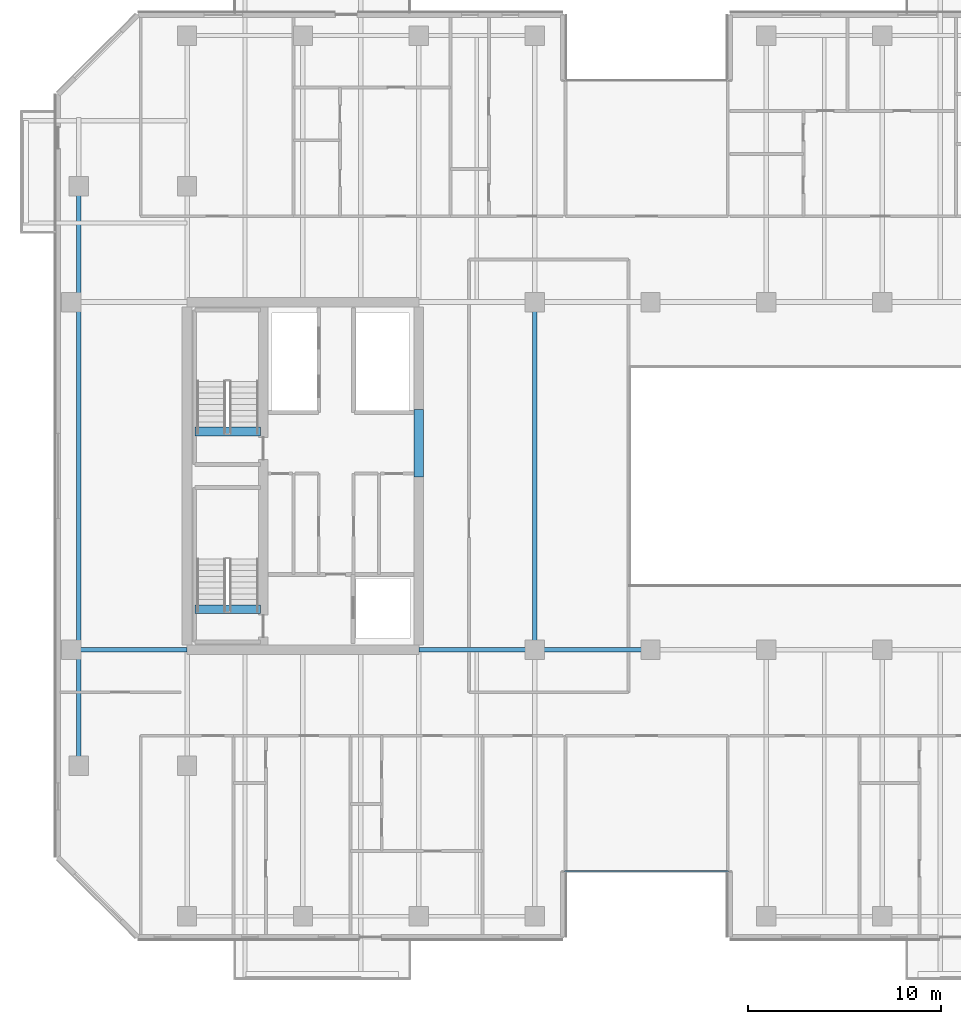
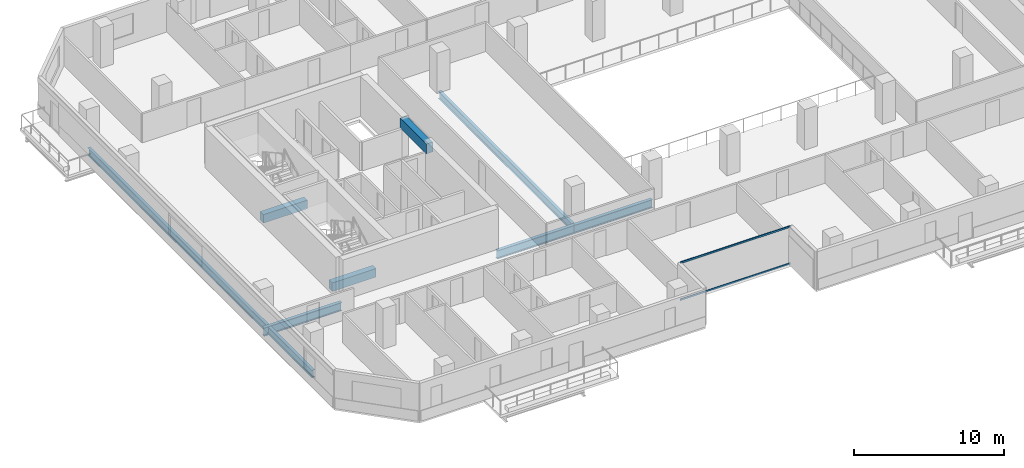
# One storey, part 3 of 23: 8 beams, 2 members, 1 element without a shape of its own.
"""IFC4 building model written with IfcOpenShell, lengths in metres."""

from ifc_helpers import new_model, si_unit, direction, frame, origin, origin_2d, place, context, subcontext, project, spatial, rectangle, hollow_rectangle, i_section, extrude, material, layer, layer_set, material_profile, profile_set, type_object, element, aggregate, save


model = new_model("IFC4")

# Units and contexts
model_context = context("Model", 3, precision=1e-05, world=origin(), true_north=direction((0.0, 1.0)))
body_context = subcontext(model_context, "Body", "Model", "MODEL_VIEW")
ifc_project = project(units=[si_unit("LENGTHUNIT", "METRE"), si_unit("AREAUNIT", "SQUARE_METRE"), si_unit("VOLUMEUNIT", "CUBIC_METRE"), si_unit("PLANEANGLEUNIT", "RADIAN"), si_unit("MASSUNIT", "GRAM", prefix="KILO")], contexts=[model_context])

# Site, building, storey
site_placement = place(None, origin())
site = spatial("IfcSite", under=ifc_project, at=site_placement, CompositionType="ELEMENT")
building_placement = place(site_placement, origin())
building = spatial("IfcBuilding", under=site, at=building_placement, Name="Tanjung Sevakor Pilgrim Tower", CompositionType="ELEMENT")
storey_placement = place(building_placement, frame((0.0, 0.0, 88.77001953125)))
storey = spatial("IfcBuildingStorey", under=building, at=storey_placement, Name="L24", CompositionType="ELEMENT", Elevation=88.77001953125)

# Beams
ifc_material_1 = material(Name="Steel S355J2", Category="steel")
ifc_material_profile_1 = material_profile(ifc_material_1, i_section(OverallWidth=0.25439453125, OverallDepth=0.6875, WebThickness=0.01318359375, FlangeThickness=0.02099609375, FilletRadius=0.01513671875, at=origin_2d()))
ifc_profile_set_1 = profile_set([ifc_material_profile_1], Name="Steel S355J2")
beam_type_1 = type_object("IfcBeamType", Name="BM-B-G2-UB_686x254x152", PredefinedType="BEAM", material=ifc_profile_set_1)
for number, where, z_axis, x_axis, name in (
    (1, (18.0, 24.60009765625, -0.563720703125), (1.0, 0.0, 0.0), (0.0, 1.0, 0.0), "L24 Primary Floor Girder MAIN Y246-01"),
    (2, (36.0, 24.60009765625, -0.563720703125), (1.0, 0.0, 0.0), (0.0, 1.0, 0.0), "L24 Primary Floor Girder MAIN Y246-02"),
    (3, (42.0, 24.60009765625, -0.563720703125), (1.0, 0.0, 0.0), (0.0, 1.0, 0.0), "L24 Primary Floor Girder MAIN Y246-03"),
):
    element("IfcBeam", number, at=place(storey_placement, frame(where, z_axis=z_axis, x_axis=x_axis)), inside=storey, type_object=beam_type_1, Name=name, PredefinedType="BEAM", context=body_context, shape_type="SweptSolid", body=[
        extrude(i_section(OverallWidth=0.25439453125, OverallDepth=0.6875, WebThickness=0.01318359375, FlangeThickness=0.02099609375, FilletRadius=0.01513671875, at=origin_2d()), origin(), (0.0, 0.0, 1.0), 6.0),
    ])
ifc_material_2 = material(Name="Steel S355J2", Category="steel")
ifc_material_profile_2 = material_profile(ifc_material_2, i_section(OverallWidth=0.230224609375, OverallDepth=0.6171875, WebThickness=0.01318359375, FlangeThickness=0.022216796875, FilletRadius=0.0126953125, at=origin_2d()))
ifc_profile_set_2 = profile_set([ifc_material_profile_2], Name="Steel S355J2")
beam_type_2 = type_object("IfcBeamType", Name="BM-B-G3-UB_610x229x140", PredefinedType="BEAM", material=ifc_profile_set_2)
beam_1_placement = place(storey_placement, frame((42.0, 24.60009765625, -0.528564453125), z_axis=(0.0, 1.0, 0.0), x_axis=(-1.0, 0.0, 0.0)))
element("IfcBeam", 4, at=beam_1_placement, inside=storey, type_object=beam_type_2, Name="L24 MAIN Girder 010", PredefinedType="BEAM", context=body_context, shape_type="SweptSolid", body=[
    extrude(i_section(OverallWidth=0.230224609375, OverallDepth=0.6171875, WebThickness=0.01318359375, FlangeThickness=0.022216796875, FilletRadius=0.0126953125, at=origin_2d()), origin(), (0.0, 0.0, 1.0), 18.0),
])
ifc_material_3 = material(Name="Steel S355J2", Category="steel")
ifc_material_profile_3 = material_profile(ifc_material_3, i_section(OverallWidth=0.22900390625, OverallDepth=0.6123046875, WebThickness=0.011962890625, FlangeThickness=0.01953125, FilletRadius=0.0126953125, at=origin_2d()))
ifc_profile_set_3 = profile_set([ifc_material_profile_3], Name="Steel S355J2")
beam_type_3 = type_object("IfcBeamType", Name="BM-B-G4-UB_610x229x125", PredefinedType="BEAM", material=ifc_profile_set_3)
beam_2_placement = place(storey_placement, frame((18.39990234375, 18.60009765625, -0.526123046875), z_axis=(0.0, 1.0, 0.0), x_axis=(-1.0, 0.0, 0.0)))
element("IfcBeam", 5, at=beam_2_placement, inside=storey, type_object=beam_type_3, Name="L24 Short-End Edge Girder W", PredefinedType="BEAM", context=body_context, shape_type="SweptSolid", body=[
    extrude(i_section(OverallWidth=0.22900390625, OverallDepth=0.6123046875, WebThickness=0.011962890625, FlangeThickness=0.01953125, FilletRadius=0.0126953125, at=origin_2d()), origin(), (0.0, 0.0, 1.0), 30.0),
])
ifc_material_4 = material(Name="Concrete C60/75", Category="concrete")
ifc_material_profile_4 = material_profile(ifc_material_4, rectangle(XDim=0.5, YDim=0.800048828125, at=origin_2d()))
ifc_profile_set_4 = profile_set([ifc_material_profile_4], Name="Concrete C60/75")
beam_type_4 = type_object("IfcBeamType", Name="BM-B-LN2-RC-BM_500x800", PredefinedType="LINTEL", material=ifc_profile_set_4)
beam_3_placement = place(storey_placement, frame((36.0, 33.550048828125, 2.679931640625), z_axis=(0.0, 1.0, 0.0), x_axis=(-1.0, 0.0, 0.0)))
element("IfcBeam", 6, at=beam_3_placement, inside=storey, type_object=beam_type_4, Name="L24 W Core Coupling Lintel", PredefinedType="LINTEL", context=body_context, shape_type="SweptSolid", body=[
    extrude(rectangle(XDim=0.5, YDim=0.800048828125, at=origin_2d()), origin(), (0.0, 0.0, 1.0), 3.5),
])
ifc_material_5 = material(Name="Concrete C60/75", Category="concrete")
ifc_material_profile_5 = material_profile(ifc_material_5, rectangle(XDim=0.449951171875, YDim=0.699951171875, at=origin_2d()))
ifc_profile_set_5 = profile_set([ifc_material_profile_5], Name="Concrete C60/75")
beam_type_5 = type_object("IfcBeamType", Name="BM-B-LN3-RC-BM_450x700", PredefinedType="LINTEL", material=ifc_profile_set_5)
for number, where, z_axis, x_axis, name in (
    (7, (24.39990234375, 26.699951171875, -0.35009765625), (1.0, 0.0, 0.0), (0.0, 1.0, 0.0), "L24 TS-W1 Stair Threshold Beam"),
    (8, (24.39990234375, 35.89990234375, -0.35009765625), (1.0, 0.0, 0.0), (0.0, 1.0, 0.0), "L24 TS-W2 Stair Threshold Beam"),
):
    element("IfcBeam", number, at=place(storey_placement, frame(where, z_axis=z_axis, x_axis=x_axis)), inside=storey, type_object=beam_type_5, Name=name, PredefinedType="LINTEL", context=body_context, shape_type="SweptSolid", body=[
        extrude(rectangle(XDim=0.449951171875, YDim=0.699951171875, at=origin_2d()), origin(), (0.0, 0.0, 1.0), 3.400146484375),
    ])

# Curtain wall, members
ifc_material_6 = material(Name="Aluminium 6063-T6 and Low-E Glass", Category="aluminium")
ifc_layer = layer(ifc_material_6, 0.179931640625)
ifc_layer_set = layer_set([ifc_layer], Name="CW-SYS-CLEFT")
curtain_wall_type = type_object("IfcCurtainWallType", Name="CW-SYS-CLEFT", PredefinedType="NOTDEFINED", material=ifc_layer_set)
curtain_wall_placement = place(storey_placement, origin())
curtain_wall = element("IfcCurtainWall", 9, at=curtain_wall_placement, inside=storey, type_object=curtain_wall_type, Name="L24 Curtain Wall CW-CLF-L24-2", PredefinedType="NOTDEFINED")
ifc_material_7 = material(Name="Aluminium 6063-T6", Category="aluminium")
ifc_material_profile_6 = material_profile(ifc_material_7, hollow_rectangle(XDim=0.06494140625, YDim=0.139892578125, WallThickness=0.00390625, at=origin_2d()))
ifc_profile_set_6 = profile_set([ifc_material_profile_6], Name="Aluminium 6063-T6")
member_type = type_object("IfcMemberType", Name="TYPE-CWT-1", PredefinedType="USERDEFINED", material=ifc_profile_set_6)
member_1_placement = place(storey_placement, frame((43.550048828125, 13.125, 0.032470703125), z_axis=(1.0, 0.0, 0.0), x_axis=(0.0, 1.0, 0.0)))
member_1 = element("IfcMember", 10, at=member_1_placement, type_object=member_type, Name="CW-CLF transom 1.1", ObjectType="TRANSOM", PredefinedType="USERDEFINED", context=body_context, shape_type="SweptSolid", body=[
    extrude(hollow_rectangle(XDim=0.06494140625, YDim=0.139892578125, WallThickness=0.00390625, at=origin_2d()), origin(), (0.0, 0.0, 1.0), 8.5),
])
member_2_placement = place(storey_placement, frame((43.550048828125, 13.125, 3.04736328125), z_axis=(1.0, 0.0, 0.0), x_axis=(0.0, 1.0, 0.0)))
member_2 = element("IfcMember", 11, at=member_2_placement, type_object=member_type, Name="CW-CLF transom 1.2", ObjectType="TRANSOM", PredefinedType="USERDEFINED", context=body_context, shape_type="SweptSolid", body=[
    extrude(hollow_rectangle(XDim=0.06494140625, YDim=0.139892578125, WallThickness=0.00390625, at=origin_2d()), origin(), (0.0, 0.0, 1.0), 8.5),
])
aggregate(curtain_wall, [member_1, member_2])

save(model, "model.ifc")
